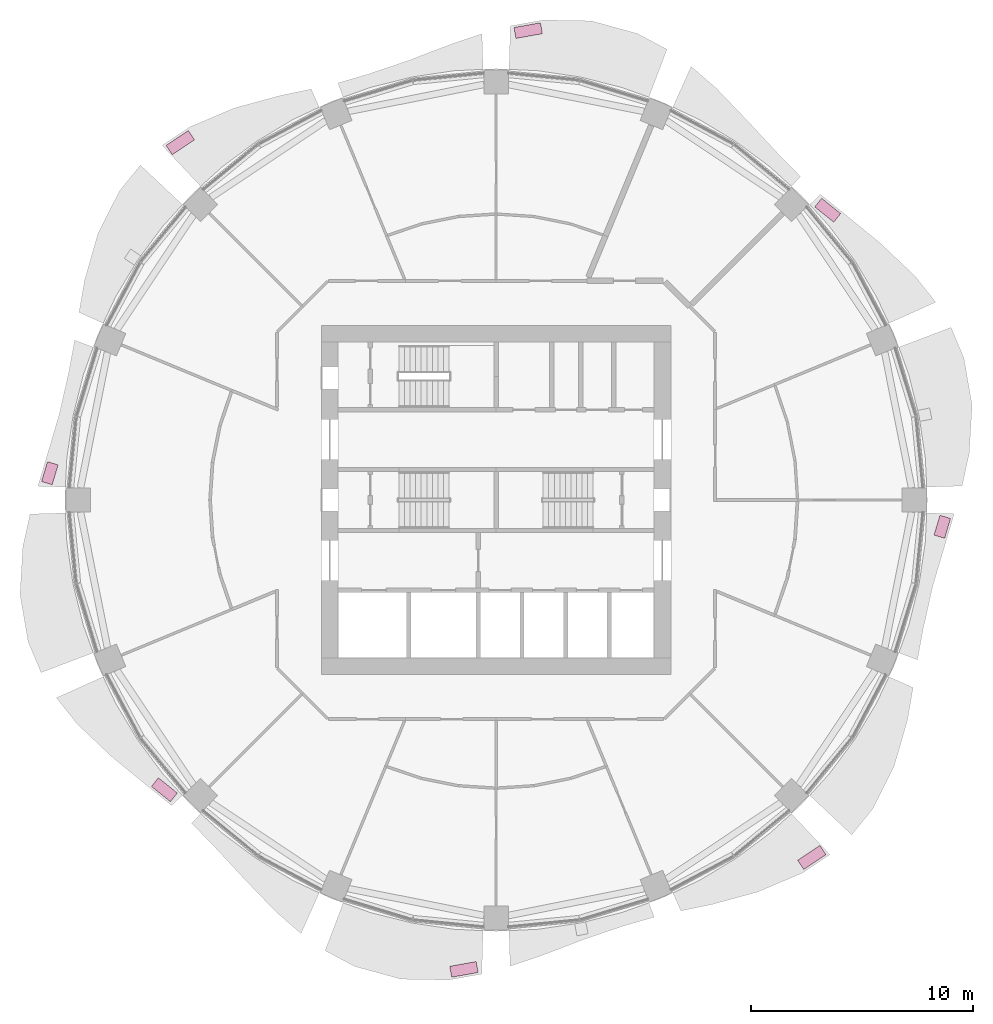
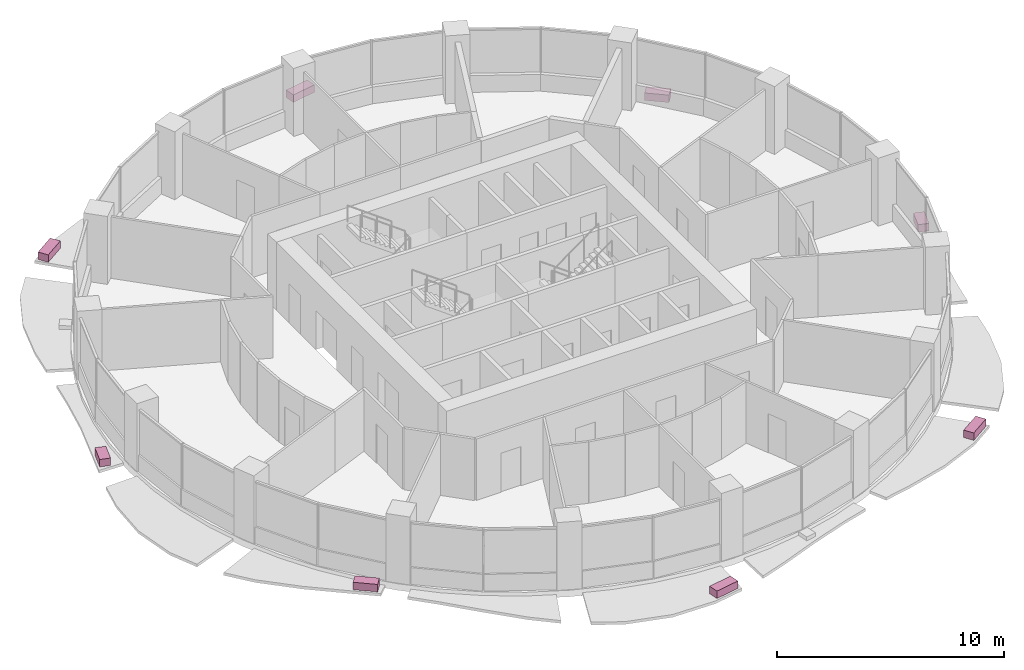
# One storey, part 15 of 15: 8 furniture elements.
"""IFC4 building model written with IfcOpenShell, lengths in metres."""

from ifc_helpers import new_model, si_unit, direction, frame, origin, origin_2d, place, context, subcontext, project, spatial, rectangle, extrude, material, type_object, element, save


model = new_model("IFC4")

# Units and contexts
model_context = context("Model", 3, precision=1e-05, world=origin(), true_north=direction((0.0, 1.0)))
body_context = subcontext(model_context, "Body", "Model", "MODEL_VIEW")
ifc_project = project(units=[si_unit("LENGTHUNIT", "METRE"), si_unit("AREAUNIT", "SQUARE_METRE"), si_unit("VOLUMEUNIT", "CUBIC_METRE"), si_unit("PLANEANGLEUNIT", "RADIAN"), si_unit("MASSUNIT", "GRAM", prefix="KILO")], contexts=[model_context])

# Site, building, storey
site_placement = place(None, origin())
site = spatial("IfcSite", under=ifc_project, at=site_placement, CompositionType="ELEMENT")
building_placement = place(site_placement, origin())
building = spatial("IfcBuilding", under=site, at=building_placement, Name="Polderwave Tower", CompositionType="ELEMENT")
storey_placement = place(building_placement, frame((0.0, 0.0, 76.39990234375)))
storey = spatial("IfcBuildingStorey", under=building, at=storey_placement, Name="L19", CompositionType="ELEMENT", Elevation=76.39990234375)

# Furniture
ifc_material = material(Name="Terracotta", Category="masonry")
furniture_type = type_object("IfcFurnitureType", Name="Terracotta planting trough", AssemblyPlace="NOTDEFINED", PredefinedType="USERDEFINED", material=ifc_material)
furniture_1_placement = place(storey_placement, frame((14.9482421875, 13.059326171875, -0.199951171875), z_axis=(0.0, 0.0, 1.0), x_axis=(-0.779030561198, 0.62698595257, 0.0)))
element("IfcFurniture", 1, at=furniture_1_placement, inside=storey, type_object=furniture_type, Name="Planting trough L19 2", ObjectType="PLANTER", PredefinedType="USERDEFINED", context=body_context, shape_type="SweptSolid", body=[
    extrude(rectangle(XDim=1.0966796875, YDim=0.5, at=origin_2d()), origin(), (0.0, 0.0, 1.0), 0.39990234375),
])
furniture_2_placement = place(storey_placement, frame((1.448486328125, 21.156982421875, -0.199951171875), z_axis=(0.0, 0.0, 1.0), x_axis=(-0.984339309602, -0.176284212488, 0.0)))
element("IfcFurniture", 2, at=furniture_2_placement, inside=storey, type_object=furniture_type, Name="Planting trough L19 4", ObjectType="PLANTER", PredefinedType="USERDEFINED", context=body_context, shape_type="SweptSolid", body=[
    extrude(rectangle(XDim=1.2119140625, YDim=0.5, at=origin_2d()), origin(), (0.0, 0.0, 1.0), 0.39990234375),
])
furniture_3_placement = place(storey_placement, frame((-14.2314453125, 16.10888671875, -0.199951171875), z_axis=(0.0, 0.0, 1.0), x_axis=(-0.831863082631, -0.554980911164, 0.0)))
element("IfcFurniture", 3, at=furniture_3_placement, inside=storey, type_object=furniture_type, Name="Planting trough L19 6", ObjectType="PLANTER", PredefinedType="USERDEFINED", context=body_context, shape_type="SweptSolid", body=[
    extrude(rectangle(XDim=1.201416015625, YDim=0.5, at=origin_2d()), origin(), (0.0, 0.0, 1.0), 0.39990234375),
])
furniture_4_placement = place(storey_placement, frame((-20.112548828125, 1.20703125, -0.199951171875), z_axis=(0.0, 0.0, 1.0), x_axis=(-0.286424221998, -0.95810289899, 0.0)))
element("IfcFurniture", 4, at=furniture_4_placement, inside=storey, type_object=furniture_type, Name="Planting trough L19 8", ObjectType="PLANTER", PredefinedType="USERDEFINED", context=body_context, shape_type="SweptSolid", body=[
    extrude(rectangle(XDim=0.9326171875, YDim=0.5, at=origin_2d()), origin(), (0.0, 0.0, 1.0), 0.39990234375),
])
furniture_5_placement = place(storey_placement, frame((-14.9482421875, -13.059326171875, -0.199951171875), z_axis=(0.0, 0.0, 1.0), x_axis=(0.779030561198, -0.62698595257, 0.0)))
element("IfcFurniture", 5, at=furniture_5_placement, inside=storey, type_object=furniture_type, Name="Planting trough L19 10", ObjectType="PLANTER", PredefinedType="USERDEFINED", context=body_context, shape_type="SweptSolid", body=[
    extrude(rectangle(XDim=1.0966796875, YDim=0.5, at=origin_2d()), origin(), (0.0, 0.0, 1.0), 0.39990234375),
])
furniture_6_placement = place(storey_placement, frame((-1.448486328125, -21.156982421875, -0.199951171875), z_axis=(0.0, 0.0, 1.0), x_axis=(0.984339309602, 0.176284212488, 0.0)))
element("IfcFurniture", 6, at=furniture_6_placement, inside=storey, type_object=furniture_type, Name="Planting trough L19 12", ObjectType="PLANTER", PredefinedType="USERDEFINED", context=body_context, shape_type="SweptSolid", body=[
    extrude(rectangle(XDim=1.2119140625, YDim=0.5, at=origin_2d()), origin(), (0.0, 0.0, 1.0), 0.39990234375),
])
furniture_7_placement = place(storey_placement, frame((14.2314453125, -16.10888671875, -0.199951171875), z_axis=(0.0, 0.0, 1.0), x_axis=(0.831863082631, 0.554980911164, 0.0)))
element("IfcFurniture", 7, at=furniture_7_placement, inside=storey, type_object=furniture_type, Name="Planting trough L19 14", ObjectType="PLANTER", PredefinedType="USERDEFINED", context=body_context, shape_type="SweptSolid", body=[
    extrude(rectangle(XDim=1.201416015625, YDim=0.5, at=origin_2d()), origin(), (0.0, 0.0, 1.0), 0.39990234375),
])
furniture_8_placement = place(storey_placement, frame((20.112548828125, -1.20703125, -0.199951171875), z_axis=(0.0, 0.0, 1.0), x_axis=(0.286424221998, 0.95810289899, 0.0)))
element("IfcFurniture", 8, at=furniture_8_placement, inside=storey, type_object=furniture_type, Name="Planting trough L19 16", ObjectType="PLANTER", PredefinedType="USERDEFINED", context=body_context, shape_type="SweptSolid", body=[
    extrude(rectangle(XDim=0.9326171875, YDim=0.5, at=origin_2d()), origin(), (0.0, 0.0, 1.0), 0.39990234375),
])

save(model, "model.ifc")
